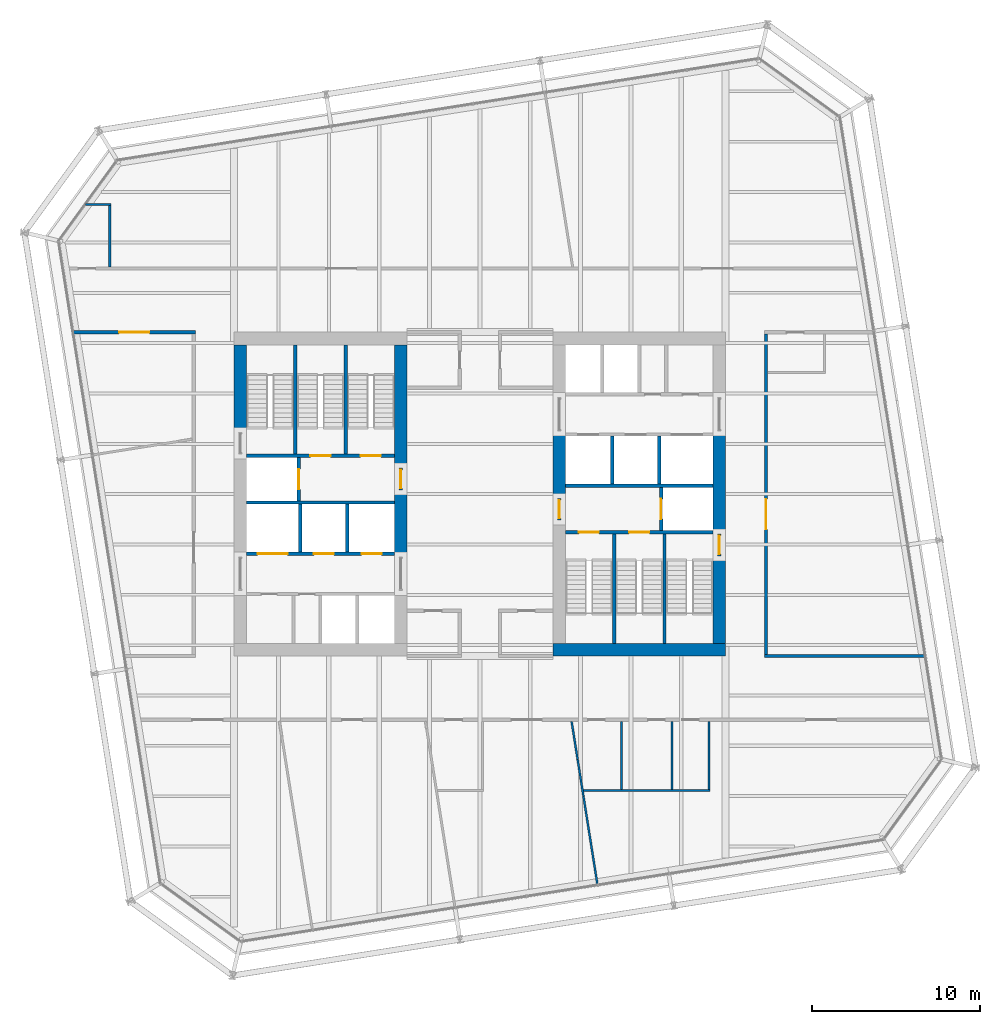
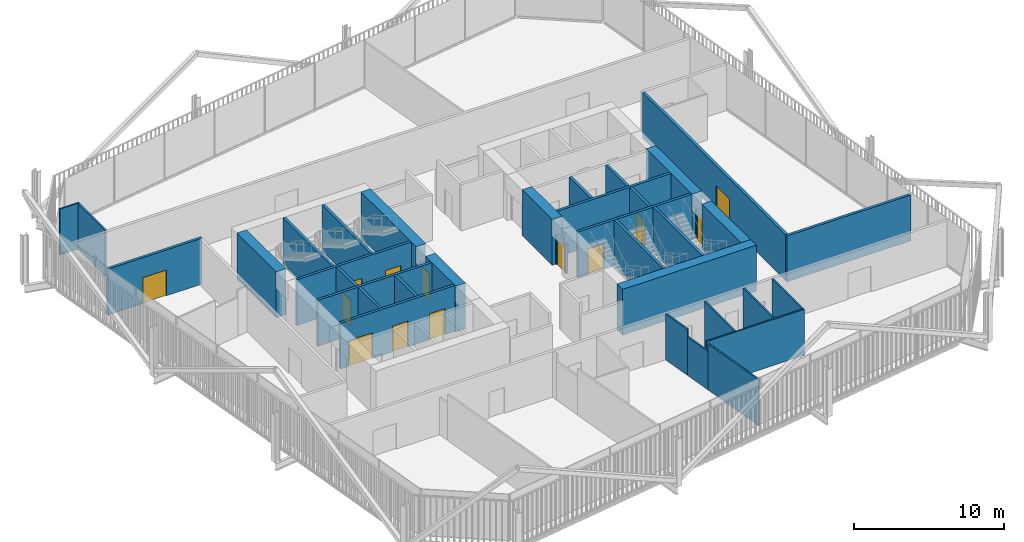
# One storey, part 19 of 22: 37 walls, 14 doors, 14 openings.
"""IFC4 building model written with IfcOpenShell, lengths in metres."""

from ifc_helpers import new_model, si_unit, direction, frame, frame_2d, origin, place, context, subcontext, project, spatial, rectangle, extrude, material, layer, layer_set, type_object, element, fill, save


model = new_model("IFC4")

# Units and contexts
model_context = context("Model", 3, precision=1e-05, world=origin(), true_north=direction((0.0, 1.0)))
body_context = subcontext(model_context, "Body", "Model", "MODEL_VIEW")
ifc_project = project(units=[si_unit("LENGTHUNIT", "METRE"), si_unit("AREAUNIT", "SQUARE_METRE"), si_unit("VOLUMEUNIT", "CUBIC_METRE"), si_unit("PLANEANGLEUNIT", "RADIAN"), si_unit("MASSUNIT", "GRAM", prefix="KILO")], contexts=[model_context])

# Site, building, storey
site_placement = place(None, origin())
site = spatial("IfcSite", under=ifc_project, at=site_placement, CompositionType="ELEMENT")
building_placement = place(site_placement, origin())
building = spatial("IfcBuilding", under=site, at=building_placement, Name="Millrace Tower", CompositionType="ELEMENT")
storey_placement = place(building_placement, frame((0.0, 0.0, 145.10009765625)))
storey = spatial("IfcBuildingStorey", under=building, at=storey_placement, Name="L32", CompositionType="ELEMENT", Elevation=145.10009765625)

# Walls
ifc_material_1 = material(Name="Concrete C70", Category="concrete")
ifc_layer_1 = layer(ifc_material_1, 0.75)
ifc_layer_set_1 = layer_set([ifc_layer_1], Name="Concrete C70")
wall_type_1 = type_object("IfcWallType", Name="Core wall 750 Concrete C70", PredefinedType="SHEAR", material=ifc_layer_set_1)
wall_1_placement = place(storey_placement, frame((-14.27490234375, 3.679931640625, 0.0), z_axis=(0.0, 0.0, 1.0), x_axis=(0.0, 1.0, 0.0)))
element("IfcWall", 1, at=wall_1_placement, inside=storey, type_object=wall_type_1, Name="Core wall W L32", PredefinedType="SHEAR", context=body_context, shape_type="SweptSolid", body=[
    extrude(rectangle(XDim=5.219970703125, YDim=0.75, at=frame_2d((2.60986328125, 0.0))), origin(), (0.0, 0.0, 1.0), 3.739990234375),
])
wall_2_placement = place(storey_placement, frame((-4.72509765625, -3.75, 0.0), z_axis=(0.0, 0.0, 1.0), x_axis=(0.0, 1.0, 0.0)))
element("IfcWall", 2, at=wall_2_placement, inside=storey, type_object=wall_type_1, Name="Core wall W L32", PredefinedType="SHEAR", context=body_context, shape_type="SweptSolid", body=[
    extrude(rectangle(XDim=4.0, YDim=0.75, at=frame_2d((2.0, 0.0))), origin(), (0.0, 0.0, 1.0), 3.739990234375),
])
wall_3_placement = place(storey_placement, frame((-4.72509765625, 1.550048828125, 0.0), z_axis=(0.0, 0.0, 1.0), x_axis=(0.0, 1.0, 0.0)))
element("IfcWall", 3, at=wall_3_placement, inside=storey, type_object=wall_type_1, Name="Core wall W L32", PredefinedType="SHEAR", context=body_context, shape_type="SweptSolid", body=[
    extrude(rectangle(XDim=7.349853515625, YDim=0.75, at=frame_2d((3.6748046875, 0.0))), origin(), (0.0, 0.0, 1.0), 3.739990234375),
])
wall_4_placement = place(storey_placement, frame((14.64990234375, -9.27490234375, 0.0), z_axis=(0.0, 0.0, 1.0), x_axis=(-1.0, 0.0, 0.0)))
element("IfcWall", 4, at=wall_4_placement, inside=storey, type_object=wall_type_1, Name="Core wall E L32", PredefinedType="SHEAR", context=body_context, shape_type="SweptSolid", body=[
    extrude(rectangle(XDim=10.2998046875, YDim=0.75, at=frame_2d((5.14990234375, 0.0))), origin(), (0.0, 0.0, 1.0), 3.739990234375),
])
wall_5_placement = place(storey_placement, frame((14.27490234375, 3.75, 0.0), z_axis=(0.0, 0.0, 1.0), x_axis=(0.0, -1.0, 0.0)))
element("IfcWall", 5, at=wall_5_placement, inside=storey, type_object=wall_type_1, Name="Core wall E L32", PredefinedType="SHEAR", context=body_context, shape_type="SweptSolid", body=[
    extrude(rectangle(XDim=6.1298828125, YDim=0.75, at=frame_2d((3.06494140625, 0.0))), origin(), (0.0, 0.0, 1.0), 3.739990234375),
])
wall_6_placement = place(storey_placement, frame((14.27490234375, -3.679931640625, 0.0), z_axis=(0.0, 0.0, 1.0), x_axis=(0.0, -1.0, 0.0)))
element("IfcWall", 6, at=wall_6_placement, inside=storey, type_object=wall_type_1, Name="Core wall E L32", PredefinedType="SHEAR", context=body_context, shape_type="SweptSolid", body=[
    extrude(rectangle(XDim=5.219970703125, YDim=0.75, at=frame_2d((2.60986328125, 0.0))), origin(), (0.0, 0.0, 1.0), 3.739990234375),
])
wall_7_placement = place(storey_placement, frame((4.72509765625, 3.75, 0.0), z_axis=(0.0, 0.0, 1.0), x_axis=(0.0, -1.0, 0.0)))
element("IfcWall", 7, at=wall_7_placement, inside=storey, type_object=wall_type_1, Name="Core wall E L32", PredefinedType="SHEAR", context=body_context, shape_type="SweptSolid", body=[
    extrude(rectangle(XDim=4.0, YDim=0.75, at=frame_2d((2.0, 0.0))), origin(), (0.0, 0.0, 1.0), 3.739990234375),
])
ifc_material_2 = material(Name="Masonry partition, fire-rated", Category="masonry")
ifc_layer_2 = layer(ifc_material_2, 0.199951171875)
ifc_layer_set_2 = layer_set([ifc_layer_2], Name="Masonry partition, fire-rated")
wall_type_2 = type_object("IfcWallType", Name="Corridor wall 200", PredefinedType="PARTITIONING", material=ifc_layer_set_2)
wall_8_placement = place(storey_placement, frame((16.949951171875, -9.64990234375, 0.0), z_axis=(0.0, 0.0, 1.0), x_axis=(1.0, 0.0, 0.0)))
element("IfcWall", 8, at=wall_8_placement, inside=storey, type_object=wall_type_2, Name="Corridor wall L32", PredefinedType="PARTITIONING", context=body_context, shape_type="SweptSolid", body=[
    extrude(rectangle(XDim=9.54638671875, YDim=0.199951171875, at=frame_2d((4.773193359375, 0.0))), origin(), (0.0, 0.0, 1.0), 3.739990234375),
])

# Wall, opening, door
wall_9_placement = place(storey_placement, frame((-24.20703125, 9.64990234375, 0.0), z_axis=(0.0, 0.0, 1.0), x_axis=(1.0, 0.0, 0.0)))
wall_9 = element("IfcWall", 9, at=wall_9_placement, inside=storey, type_object=wall_type_2, Name="Corridor wall L32", PredefinedType="PARTITIONING", context=body_context, shape_type="SweptSolid", body=[
    extrude(rectangle(XDim=7.257080078125, YDim=0.199951171875, at=frame_2d((3.62841796875, 0.0))), origin(), (0.0, 0.0, 1.0), 3.739990234375),
])
opening_1_placement = place(wall_9_placement, frame((2.70361328125, 0.0, 0.0)))
opening_1 = element("IfcOpeningElement", 10, at=opening_1_placement, cuts=wall_9, Name="Opening 32-P019", PredefinedType="OPENING", context=body_context, shape_type="SweptSolid", body=[
    extrude(rectangle(XDim=1.800048828125, YDim=2.10009765625, at=frame_2d((0.89990234375, 1.050048828125))), frame((0.0, 0.10986328125, 0.0), z_axis=(0.0, -1.0, 0.0), x_axis=(1.0, 0.0, 0.0)), (0.0, 0.0, 1.0), 0.219970703125),
])
ifc_material_3 = material(Name="Steel door set, fire-rated", Category="steel")
door_type_1 = type_object("IfcDoorType", Name="Corridor door 1800 x 2100", OperationType="DOUBLE_DOOR_SINGLE_SWING", PredefinedType="DOOR", material=ifc_material_3)
door_1_placement = place(opening_1_placement, frame((1.800048828125, 0.0, 0.0), z_axis=(0.0, 0.0, 1.0), x_axis=(-1.0, 0.0, 0.0)))
door_1 = element("IfcDoor", 11, at=door_1_placement, inside=storey, type_object=door_type_1, Name="Door 32-P019", OperationType="DOUBLE_DOOR_SINGLE_SWING", OverallHeight=2.10009765625, OverallWidth=1.800048828125, PredefinedType="DOOR", context=body_context, shape_type="SweptSolid", body=[
    extrude(rectangle(XDim=1.800048828125, YDim=2.10009765625, at=frame_2d((0.89990234375, 1.050048828125))), frame((0.0, 0.02490234375, 0.0), z_axis=(0.0, -1.0, 0.0), x_axis=(1.0, 0.0, 0.0)), (0.0, 0.0, 1.0), 0.050048828125),
])
fill(opening_1, door_1)

wall_10_placement = place(storey_placement, frame((17.050048828125, -9.550048828125, 0.0), z_axis=(0.0, 0.0, 1.0), x_axis=(0.0, 1.0, 0.0)))
wall_10 = element("IfcWall", 12, at=wall_10_placement, inside=storey, type_object=wall_type_2, Name="Corridor wall L32", PredefinedType="PARTITIONING", context=body_context, shape_type="SweptSolid", body=[
    extrude(rectangle(XDim=19.10009765625, YDim=0.199951171875, at=frame_2d((9.550048828125, 0.0))), origin(), (0.0, 0.0, 1.0), 3.739990234375),
])
opening_2_placement = place(wall_10_placement, frame((7.449951171875, 0.0, 0.0)))
opening_2 = element("IfcOpeningElement", 13, at=opening_2_placement, cuts=wall_10, Name="Opening 32-P008", PredefinedType="OPENING", context=body_context, shape_type="SweptSolid", body=[
    extrude(rectangle(XDim=1.800048828125, YDim=2.10009765625, at=frame_2d((0.89990234375, 1.050048828125))), frame((0.0, 0.10986328125, 0.0), z_axis=(0.0, -1.0, 0.0), x_axis=(1.0, 0.0, 0.0)), (0.0, 0.0, 1.0), 0.219970703125),
])
door_2_placement = place(opening_2_placement, frame((1.800048828125, 0.0, 0.0), z_axis=(0.0, 0.0, 1.0), x_axis=(-1.0, 0.0, 0.0)))
door_2 = element("IfcDoor", 14, at=door_2_placement, inside=storey, type_object=door_type_1, Name="Door 32-P008", OperationType="DOUBLE_DOOR_SINGLE_SWING", OverallHeight=2.10009765625, OverallWidth=1.800048828125, PredefinedType="DOOR", context=body_context, shape_type="SweptSolid", body=[
    extrude(rectangle(XDim=1.800048828125, YDim=2.10009765625, at=frame_2d((0.89990234375, 1.050048828125))), frame((0.0, 0.02490234375, 0.0), z_axis=(0.0, -1.0, 0.0), x_axis=(1.0, 0.0, 0.0)), (0.0, 0.0, 1.0), 0.050048828125),
])
fill(opening_2, door_2)

# Wall, openings, doors
ifc_material_4 = material(Name="Masonry partition, fire-rated", Category="masonry")
ifc_layer_3 = layer(ifc_material_4, 0.199951171875)
ifc_layer_set_3 = layer_set([ifc_layer_3], Name="Masonry partition, fire-rated")
wall_type_3 = type_object("IfcWallType", Name="Lift shaft wall 200", PredefinedType="PARTITIONING", material=ifc_layer_set_3)
wall_11_placement = place(storey_placement, frame((-13.89990234375, -3.550048828125, 0.0), z_axis=(0.0, 0.0, 1.0), x_axis=(1.0, 0.0, 0.0)))
wall_11 = element("IfcWall", 15, at=wall_11_placement, inside=storey, type_object=wall_type_3, Name="Lift shaft wall W L32", PredefinedType="PARTITIONING", context=body_context, shape_type="SweptSolid", body=[
    extrude(rectangle(XDim=8.7998046875, YDim=0.199951171875, at=frame_2d((4.39990234375, 0.0))), origin(), (0.0, 0.0, 1.0), 3.739990234375),
])
opening_3_placement = place(wall_11_placement, frame((0.64990234375, 0.0, 0.0)))
opening_3 = element("IfcOpeningElement", 16, at=opening_3_placement, cuts=wall_11, Name="Opening 32-LD05", PredefinedType="OPENING", context=body_context, shape_type="SweptSolid", body=[
    extrude(rectangle(XDim=1.800048828125, YDim=2.10009765625, at=frame_2d((0.89990234375, 1.050048828125))), frame((0.0, 0.10986328125, 0.0), z_axis=(0.0, -1.0, 0.0), x_axis=(1.0, 0.0, 0.0)), (0.0, 0.0, 1.0), 0.219970703125),
])
opening_4_placement = place(wall_11_placement, frame((4.0, 0.0, 0.0)))
opening_4 = element("IfcOpeningElement", 17, at=opening_4_placement, cuts=wall_11, Name="Opening 32-LD06", PredefinedType="OPENING", context=body_context, shape_type="SweptSolid", body=[
    extrude(rectangle(XDim=1.199951171875, YDim=2.10009765625, at=frame_2d((0.60009765625, 1.050048828125))), frame((0.0, 0.10986328125, 0.0), z_axis=(0.0, -1.0, 0.0), x_axis=(1.0, 0.0, 0.0)), (0.0, 0.0, 1.0), 0.219970703125),
])
opening_5_placement = place(wall_11_placement, frame((6.85009765625, 0.0, 0.0)))
opening_5 = element("IfcOpeningElement", 18, at=opening_5_placement, cuts=wall_11, Name="Opening 32-LD07", PredefinedType="OPENING", context=body_context, shape_type="SweptSolid", body=[
    extrude(rectangle(XDim=1.199951171875, YDim=2.10009765625, at=frame_2d((0.60009765625, 1.050048828125))), frame((0.0, 0.10986328125, 0.0), z_axis=(0.0, -1.0, 0.0), x_axis=(1.0, 0.0, 0.0)), (0.0, 0.0, 1.0), 0.219970703125),
])
ifc_material_5 = material(Name="Stainless steel, fire-rated", Category="steel")
door_type_2 = type_object("IfcDoorType", Name="Lift landing door 1200 x 2100", OperationType="DOUBLE_DOOR_SLIDING", PredefinedType="DOOR", material=ifc_material_5)
door_3_placement = place(opening_4_placement, origin())
door_3 = element("IfcDoor", 19, at=door_3_placement, inside=storey, type_object=door_type_2, Name="Lift landing door LF6 L32", OperationType="DOUBLE_DOOR_SLIDING", OverallHeight=2.10009765625, OverallWidth=1.199951171875, PredefinedType="DOOR", context=body_context, shape_type="SweptSolid", body=[
    extrude(rectangle(XDim=1.199951171875, YDim=2.10009765625, at=frame_2d((0.60009765625, 1.050048828125))), frame((0.0, 0.02490234375, 0.0), z_axis=(0.0, -1.0, 0.0), x_axis=(1.0, 0.0, 0.0)), (0.0, 0.0, 1.0), 0.050048828125),
])
fill(opening_4, door_3)
door_4_placement = place(opening_5_placement, origin())
door_4 = element("IfcDoor", 20, at=door_4_placement, inside=storey, type_object=door_type_2, Name="Lift landing door LF7 L32", OperationType="DOUBLE_DOOR_SLIDING", OverallHeight=2.10009765625, OverallWidth=1.199951171875, PredefinedType="DOOR", context=body_context, shape_type="SweptSolid", body=[
    extrude(rectangle(XDim=1.199951171875, YDim=2.10009765625, at=frame_2d((0.60009765625, 1.050048828125))), frame((0.0, 0.02490234375, 0.0), z_axis=(0.0, -1.0, 0.0), x_axis=(1.0, 0.0, 0.0)), (0.0, 0.0, 1.0), 0.050048828125),
])
fill(opening_5, door_4)
ifc_material_6 = material(Name="Stainless steel, fire-rated", Category="steel")
door_type_3 = type_object("IfcDoorType", Name="Lift landing door 1800 x 2100", OperationType="DOUBLE_DOOR_SLIDING", PredefinedType="DOOR", material=ifc_material_6)
door_5_placement = place(opening_3_placement, origin())
door_5 = element("IfcDoor", 21, at=door_5_placement, inside=storey, type_object=door_type_3, Name="Lift landing door LF5 L32", OperationType="DOUBLE_DOOR_SLIDING", OverallHeight=2.10009765625, OverallWidth=1.800048828125, PredefinedType="DOOR", context=body_context, shape_type="SweptSolid", body=[
    extrude(rectangle(XDim=1.800048828125, YDim=2.10009765625, at=frame_2d((0.89990234375, 1.050048828125))), frame((0.0, 0.02490234375, 0.0), z_axis=(0.0, -1.0, 0.0), x_axis=(1.0, 0.0, 0.0)), (0.0, 0.0, 1.0), 0.050048828125),
])
fill(opening_3, door_5)

# Wall
wall_12_placement = place(storey_placement, frame((-13.89990234375, -0.5, 0.0), z_axis=(0.0, 0.0, 1.0), x_axis=(1.0, 0.0, 0.0)))
element("IfcWall", 22, at=wall_12_placement, inside=storey, type_object=wall_type_3, Name="Lift shaft wall W L32", PredefinedType="PARTITIONING", context=body_context, shape_type="SweptSolid", body=[
    extrude(rectangle(XDim=8.7998046875, YDim=0.199951171875, at=frame_2d((4.39990234375, 0.0))), origin(), (0.0, 0.0, 1.0), 3.739990234375),
])

# Wall, opening, door
wall_13_placement = place(storey_placement, frame((-10.800048828125, -0.39990234375, 0.0), z_axis=(0.0, 0.0, 1.0), x_axis=(0.0, 1.0, 0.0)))
wall_13 = element("IfcWall", 23, at=wall_13_placement, inside=storey, type_object=wall_type_3, Name="Lift shaft wall W L32", PredefinedType="PARTITIONING", context=body_context, shape_type="SweptSolid", body=[
    extrude(rectangle(XDim=2.579833984375, YDim=0.199951171875, at=frame_2d((1.2900390625, 0.0))), origin(), (0.0, 0.0, 1.0), 3.739990234375),
])
opening_6_placement = place(wall_13_placement, frame((0.68994140625, 0.0, 0.0)))
opening_6 = element("IfcOpeningElement", 24, at=opening_6_placement, cuts=wall_13, Name="Opening 32-LD08", PredefinedType="OPENING", context=body_context, shape_type="SweptSolid", body=[
    extrude(rectangle(XDim=1.199951171875, YDim=2.10009765625, at=frame_2d((0.60009765625, 1.050048828125))), frame((0.0, 0.10986328125, 0.0), z_axis=(0.0, -1.0, 0.0), x_axis=(1.0, 0.0, 0.0)), (0.0, 0.0, 1.0), 0.219970703125),
])
door_6_placement = place(opening_6_placement, origin())
door_6 = element("IfcDoor", 25, at=door_6_placement, inside=storey, type_object=door_type_2, Name="Lift landing door LF8 L32", OperationType="DOUBLE_DOOR_SLIDING", OverallHeight=2.10009765625, OverallWidth=1.199951171875, PredefinedType="DOOR", context=body_context, shape_type="SweptSolid", body=[
    extrude(rectangle(XDim=1.199951171875, YDim=2.10009765625, at=frame_2d((0.60009765625, 1.050048828125))), frame((0.0, 0.02490234375, 0.0), z_axis=(0.0, -1.0, 0.0), x_axis=(1.0, 0.0, 0.0)), (0.0, 0.0, 1.0), 0.050048828125),
])
fill(opening_6, door_6)

# Walls
for number, where, z_axis, x_axis, name in (
    (26, (-10.699951171875, -3.449951171875, 0.0), (0.0, 0.0, 1.0), (0.0, 1.0, 0.0), "Lift shaft wall W L32"),
    (27, (-7.89990234375, -3.449951171875, 0.0), (0.0, 0.0, 1.0), (0.0, 1.0, 0.0), "Lift shaft wall W L32"),
):
    element("IfcWall", number, at=place(storey_placement, frame(where, z_axis=z_axis, x_axis=x_axis)), inside=storey, type_object=wall_type_3, Name=name, PredefinedType="PARTITIONING", context=body_context, shape_type="SweptSolid", body=[
        extrude(rectangle(XDim=2.849853515625, YDim=0.199951171875, at=frame_2d((1.4248046875, 0.0))), origin(), (0.0, 0.0, 1.0), 3.739990234375),
    ])
wall_14_placement = place(storey_placement, frame((13.89990234375, 0.5, 0.0), z_axis=(0.0, 0.0, 1.0), x_axis=(-1.0, 0.0, 0.0)))
element("IfcWall", 28, at=wall_14_placement, inside=storey, type_object=wall_type_3, Name="Lift shaft wall E L32", PredefinedType="PARTITIONING", context=body_context, shape_type="SweptSolid", body=[
    extrude(rectangle(XDim=8.7998046875, YDim=0.199951171875, at=frame_2d((4.39990234375, 0.0))), origin(), (0.0, 0.0, 1.0), 3.739990234375),
])

# Wall, opening, door
wall_15_placement = place(storey_placement, frame((10.800048828125, 0.39990234375, 0.0), z_axis=(0.0, 0.0, 1.0), x_axis=(0.0, -1.0, 0.0)))
wall_15 = element("IfcWall", 29, at=wall_15_placement, inside=storey, type_object=wall_type_3, Name="Lift shaft wall E L32", PredefinedType="PARTITIONING", context=body_context, shape_type="SweptSolid", body=[
    extrude(rectangle(XDim=2.579833984375, YDim=0.199951171875, at=frame_2d((1.2900390625, 0.0))), origin(), (0.0, 0.0, 1.0), 3.739990234375),
])
opening_7_placement = place(wall_15_placement, frame((0.68994140625, 0.0, 0.0)))
opening_7 = element("IfcOpeningElement", 30, at=opening_7_placement, cuts=wall_15, Name="Opening 32-LD16", PredefinedType="OPENING", context=body_context, shape_type="SweptSolid", body=[
    extrude(rectangle(XDim=1.199951171875, YDim=2.10009765625, at=frame_2d((0.60009765625, 1.050048828125))), frame((0.0, 0.10986328125, 0.0), z_axis=(0.0, -1.0, 0.0), x_axis=(1.0, 0.0, 0.0)), (0.0, 0.0, 1.0), 0.219970703125),
])
door_7_placement = place(opening_7_placement, origin())
door_7 = element("IfcDoor", 31, at=door_7_placement, inside=storey, type_object=door_type_2, Name="Lift landing door LF16 L32", OperationType="DOUBLE_DOOR_SLIDING", OverallHeight=2.10009765625, OverallWidth=1.199951171875, PredefinedType="DOOR", context=body_context, shape_type="SweptSolid", body=[
    extrude(rectangle(XDim=1.199951171875, YDim=2.10009765625, at=frame_2d((0.60009765625, 1.050048828125))), frame((0.0, 0.02490234375, 0.0), z_axis=(0.0, -1.0, 0.0), x_axis=(1.0, 0.0, 0.0)), (0.0, 0.0, 1.0), 0.050048828125),
])
fill(opening_7, door_7)

# Walls
for number, where, z_axis, x_axis, name in (
    (32, (10.699951171875, 3.449951171875, 0.0), (0.0, 0.0, 1.0), (0.0, -1.0, 0.0), "Lift shaft wall E L32"),
    (33, (7.89990234375, 3.449951171875, 0.0), (0.0, 0.0, 1.0), (0.0, -1.0, 0.0), "Lift shaft wall E L32"),
):
    element("IfcWall", number, at=place(storey_placement, frame(where, z_axis=z_axis, x_axis=x_axis)), inside=storey, type_object=wall_type_3, Name=name, PredefinedType="PARTITIONING", context=body_context, shape_type="SweptSolid", body=[
        extrude(rectangle(XDim=2.849853515625, YDim=0.199951171875, at=frame_2d((1.4248046875, 0.0))), origin(), (0.0, 0.0, 1.0), 3.739990234375),
    ])

# Wall, opening, door
ifc_material_7 = material(Name="Masonry partition, fire-rated", Category="masonry")
ifc_layer_4 = layer(ifc_material_7, 0.199951171875)
ifc_layer_set_4 = layer_set([ifc_layer_4], Name="Masonry partition, fire-rated")
wall_type_4 = type_object("IfcWallType", Name="Lobby wall 200", PredefinedType="PARTITIONING", material=ifc_layer_set_4)
wall_16_placement = place(storey_placement, frame((-4.72509765625, 0.25, 0.0), z_axis=(0.0, 0.0, 1.0), x_axis=(0.0, 1.0, 0.0)))
wall_16 = element("IfcWall", 34, at=wall_16_placement, inside=storey, type_object=wall_type_4, Name="Lobby wall W L32", PredefinedType="PARTITIONING", context=body_context, shape_type="SweptSolid", body=[
    extrude(rectangle(XDim=1.300048828125, YDim=0.199951171875, at=frame_2d((0.64990234375, 0.0))), origin(), (0.0, 0.0, 1.0), 2.39990234375),
])
opening_8_placement = place(wall_16_placement, frame((0.10009765625, 0.0, 0.0)))
opening_8 = element("IfcOpeningElement", 35, at=opening_8_placement, cuts=wall_16, Name="Opening 32-C004", PredefinedType="OPENING", context=body_context, shape_type="SweptSolid", body=[
    extrude(rectangle(XDim=1.10009765625, YDim=2.10009765625, at=frame_2d((0.550048828125, 1.050048828125))), frame((0.0, 0.10986328125, 0.0), z_axis=(0.0, -1.0, 0.0), x_axis=(1.0, 0.0, 0.0)), (0.0, 0.0, 1.0), 0.219970703125),
])
ifc_material_8 = material(Name="Steel door, fire-rated", Category="steel")
door_type_4 = type_object("IfcDoorType", Name="Lobby door 1100 x 2100", OperationType="SINGLE_SWING_LEFT", PredefinedType="DOOR", material=ifc_material_8)
door_8_placement = place(opening_8_placement, origin())
door_8 = element("IfcDoor", 36, at=door_8_placement, inside=storey, type_object=door_type_4, Name="Lobby door 32-C004", OperationType="SINGLE_SWING_LEFT", OverallHeight=2.10009765625, OverallWidth=1.10009765625, PredefinedType="DOOR", context=body_context, shape_type="SweptSolid", body=[
    extrude(rectangle(XDim=1.10009765625, YDim=2.10009765625, at=frame_2d((0.550048828125, 1.050048828125))), frame((0.0, 0.02490234375, 0.0), z_axis=(0.0, -1.0, 0.0), x_axis=(1.0, 0.0, 0.0)), (0.0, 0.0, 1.0), 0.050048828125),
])
fill(opening_8, door_8)

wall_17_placement = place(storey_placement, frame((4.72509765625, -0.25, 0.0), z_axis=(0.0, 0.0, 1.0), x_axis=(0.0, -1.0, 0.0)))
wall_17 = element("IfcWall", 37, at=wall_17_placement, inside=storey, type_object=wall_type_4, Name="Lobby wall E L32", PredefinedType="PARTITIONING", context=body_context, shape_type="SweptSolid", body=[
    extrude(rectangle(XDim=1.300048828125, YDim=0.199951171875, at=frame_2d((0.64990234375, 0.0))), origin(), (0.0, 0.0, 1.0), 2.39990234375),
])
opening_9_placement = place(wall_17_placement, frame((0.10009765625, 0.0, 0.0)))
opening_9 = element("IfcOpeningElement", 38, at=opening_9_placement, cuts=wall_17, Name="Opening 32-C012", PredefinedType="OPENING", context=body_context, shape_type="SweptSolid", body=[
    extrude(rectangle(XDim=1.10009765625, YDim=2.10009765625, at=frame_2d((0.550048828125, 1.050048828125))), frame((0.0, 0.10986328125, 0.0), z_axis=(0.0, -1.0, 0.0), x_axis=(1.0, 0.0, 0.0)), (0.0, 0.0, 1.0), 0.219970703125),
])
door_9_placement = place(opening_9_placement, origin())
door_9 = element("IfcDoor", 39, at=door_9_placement, inside=storey, type_object=door_type_4, Name="Lobby door 32-C012", OperationType="SINGLE_SWING_RIGHT", OverallHeight=2.10009765625, OverallWidth=1.10009765625, PredefinedType="DOOR", context=body_context, shape_type="SweptSolid", body=[
    extrude(rectangle(XDim=1.10009765625, YDim=2.10009765625, at=frame_2d((0.550048828125, 1.050048828125))), frame((0.0, 0.02490234375, 0.0), z_axis=(0.0, -1.0, 0.0), x_axis=(1.0, 0.0, 0.0)), (0.0, 0.0, 1.0), 0.050048828125),
])
fill(opening_9, door_9)

# Walls
ifc_material_9 = material(Name="Gypsum board partition")
ifc_layer_5 = layer(ifc_material_9, 0.1201171875)
ifc_layer_set_5 = layer_set([ifc_layer_5], Name="Gypsum board partition")
wall_type_5 = type_object("IfcWallType", Name="Partition wall 120", PredefinedType="PARTITIONING", material=ifc_layer_set_5)
wall_18_placement = place(storey_placement, frame((5.46728515625, -13.548828125, 0.0), z_axis=(0.0, 0.0, 1.0), x_axis=(0.15651401508, -0.987675737823, 0.0)))
element("IfcWall", 40, at=wall_18_placement, inside=storey, type_object=wall_type_5, Name="Partition wall L32", PredefinedType="PARTITIONING", context=body_context, shape_type="SweptSolid", body=[
    extrude(rectangle(XDim=2.296142578125, YDim=0.1201171875, at=frame_2d((1.14794921875, 0.0))), origin(), (0.0, 0.0, 1.0), 3.739990234375),
])
wall_19_placement = place(storey_placement, frame((5.82666015625, -15.816650390625, 0.0), z_axis=(0.0, 0.0, 1.0), x_axis=(0.156375374173, -0.987697697857, 0.0)))
element("IfcWall", 41, at=wall_19_placement, inside=storey, type_object=wall_type_5, Name="Partition wall L32", PredefinedType="PARTITIONING", context=body_context, shape_type="SweptSolid", body=[
    extrude(rectangle(XDim=2.217041015625, YDim=0.1201171875, at=frame_2d((1.1083984375, 0.0))), origin(), (0.0, 0.0, 1.0), 3.1328125),
])
wall_20_placement = place(storey_placement, frame((6.17333984375, -18.00634765625, 0.0), z_axis=(0.0, 0.0, 1.0), x_axis=(0.156465164323, -0.987683477817, 0.0)))
element("IfcWall", 42, at=wall_20_placement, inside=storey, type_object=wall_type_5, Name="Partition wall L32", PredefinedType="PARTITIONING", context=body_context, shape_type="SweptSolid", body=[
    extrude(rectangle(XDim=5.31298828125, YDim=0.1201171875, at=frame_2d((2.656494140625, 0.0))), origin(), (0.0, 0.0, 1.0), 3.739990234375),
])
wall_21_placement = place(storey_placement, frame((6.17724609375, -17.64990234375, 0.0), z_axis=(0.0, 0.0, 1.0), x_axis=(1.0, 0.0, 0.0)))
element("IfcWall", 43, at=wall_21_placement, inside=storey, type_object=wall_type_5, Name="Partition wall L32", PredefinedType="PARTITIONING", context=body_context, shape_type="SweptSolid", body=[
    extrude(rectangle(XDim=7.53466796875, YDim=0.1201171875, at=frame_2d((3.767333984375, 0.0))), origin(), (0.0, 0.0, 1.0), 3.739990234375),
])
wall_22_placement = place(storey_placement, frame((-23.502197265625, 17.25, 0.0), z_axis=(0.0, 0.0, 1.0), x_axis=(1.0, 0.0, 0.0)))
element("IfcWall", 44, at=wall_22_placement, inside=storey, type_object=wall_type_5, Name="Partition wall L32", PredefinedType="PARTITIONING", context=body_context, shape_type="SweptSolid", body=[
    extrude(rectangle(XDim=1.504150390625, YDim=0.1201171875, at=frame_2d((0.751953125, 0.0))), origin(), (0.0, 0.0, 1.0), 3.739990234375),
])
for number, where, z_axis, x_axis, name in (
    (45, (13.652099609375, -17.590087890625, 0.0), (0.0, 0.0, 1.0), (0.0, 1.0, 0.0), "Partition wall L32"),
    (46, (11.451904296875, -17.590087890625, 0.0), (0.0, 0.0, 1.0), (0.0, 1.0, 0.0), "Partition wall L32"),
    (47, (8.451904296875, -17.590087890625, 0.0), (0.0, 0.0, 1.0), (0.0, 1.0, 0.0), "Partition wall L32"),
):
    element("IfcWall", number, at=place(storey_placement, frame(where, z_axis=z_axis, x_axis=x_axis)), inside=storey, type_object=wall_type_5, Name=name, PredefinedType="PARTITIONING", context=body_context, shape_type="SweptSolid", body=[
        extrude(rectangle(XDim=4.0400390625, YDim=0.1201171875, at=frame_2d((2.02001953125, 0.0))), origin(), (0.0, 0.0, 1.0), 3.739990234375),
    ])
wall_23_placement = place(storey_placement, frame((-22.05810546875, 13.550048828125, 0.0), z_axis=(0.0, 0.0, 1.0), x_axis=(0.0, 1.0, 0.0)))
element("IfcWall", 48, at=wall_23_placement, inside=storey, type_object=wall_type_5, Name="Partition wall L32", PredefinedType="PARTITIONING", context=body_context, shape_type="SweptSolid", body=[
    extrude(rectangle(XDim=3.639892578125, YDim=0.1201171875, at=frame_2d((1.81982421875, 0.0))), origin(), (0.0, 0.0, 1.0), 3.739990234375),
])

# Wall, openings, doors
ifc_material_10 = material(Name="Concrete C40", Category="concrete")
ifc_layer_6 = layer(ifc_material_10, 0.199951171875)
ifc_layer_set_6 = layer_set([ifc_layer_6], Name="Concrete C40")
wall_type_6 = type_object("IfcWallType", Name="Stair enclosure wall 200 Concrete C40", PredefinedType="SHEAR", material=ifc_layer_set_6)
wall_24_placement = place(storey_placement, frame((-13.89990234375, 2.280029296875, 0.0), z_axis=(0.0, 0.0, 1.0), x_axis=(1.0, 0.0, 0.0)))
wall_24 = element("IfcWall", 49, at=wall_24_placement, inside=storey, type_object=wall_type_6, Name="Stair enclosure wall W L32", PredefinedType="SHEAR", context=body_context, shape_type="SweptSolid", body=[
    extrude(rectangle(XDim=8.7998046875, YDim=0.199951171875, at=frame_2d((4.39990234375, 0.0))), origin(), (0.0, 0.0, 1.0), 3.739990234375),
])
opening_10_placement = place(wall_24_placement, frame((3.800048828125, 0.0, 0.0)))
opening_10 = element("IfcOpeningElement", 50, at=opening_10_placement, cuts=wall_24, Name="Opening 32-C007", PredefinedType="OPENING", context=body_context, shape_type="SweptSolid", body=[
    extrude(rectangle(XDim=1.199951171875, YDim=2.10009765625, at=frame_2d((0.60009765625, 1.050048828125))), frame((0.0, 0.10986328125, 0.0), z_axis=(0.0, -1.0, 0.0), x_axis=(1.0, 0.0, 0.0)), (0.0, 0.0, 1.0), 0.219970703125),
])
opening_11_placement = place(wall_24_placement, frame((6.800048828125, 0.0, 0.0)))
opening_11 = element("IfcOpeningElement", 51, at=opening_11_placement, cuts=wall_24, Name="Opening 32-C008", PredefinedType="OPENING", context=body_context, shape_type="SweptSolid", body=[
    extrude(rectangle(XDim=1.199951171875, YDim=2.10009765625, at=frame_2d((0.60009765625, 1.050048828125))), frame((0.0, 0.10986328125, 0.0), z_axis=(0.0, -1.0, 0.0), x_axis=(1.0, 0.0, 0.0)), (0.0, 0.0, 1.0), 0.219970703125),
])
ifc_material_11 = material(Name="Steel door, fire-rated", Category="steel")
door_type_5 = type_object("IfcDoorType", Name="Stair door 1200 x 2100", OperationType="SINGLE_SWING_LEFT", PredefinedType="DOOR", material=ifc_material_11)
door_10_placement = place(opening_10_placement, frame((1.199951171875, 0.0, 0.0), z_axis=(0.0, 0.0, 1.0), x_axis=(-1.0, 0.0, 0.0)))
door_10 = element("IfcDoor", 52, at=door_10_placement, inside=storey, type_object=door_type_5, Name="Stair door 32-C007", OperationType="SINGLE_SWING_RIGHT", OverallHeight=2.10009765625, OverallWidth=1.199951171875, PredefinedType="DOOR", context=body_context, shape_type="SweptSolid", body=[
    extrude(rectangle(XDim=1.199951171875, YDim=2.10009765625, at=frame_2d((0.60009765625, 1.050048828125))), frame((0.0, 0.02490234375, 0.0), z_axis=(0.0, -1.0, 0.0), x_axis=(1.0, 0.0, 0.0)), (0.0, 0.0, 1.0), 0.050048828125),
])
fill(opening_10, door_10)
door_11_placement = place(opening_11_placement, frame((1.199951171875, 0.0, 0.0), z_axis=(0.0, 0.0, 1.0), x_axis=(-1.0, 0.0, 0.0)))
door_11 = element("IfcDoor", 53, at=door_11_placement, inside=storey, type_object=door_type_5, Name="Stair door 32-C008", OperationType="SINGLE_SWING_LEFT", OverallHeight=2.10009765625, OverallWidth=1.199951171875, PredefinedType="DOOR", context=body_context, shape_type="SweptSolid", body=[
    extrude(rectangle(XDim=1.199951171875, YDim=2.10009765625, at=frame_2d((0.60009765625, 1.050048828125))), frame((0.0, 0.02490234375, 0.0), z_axis=(0.0, -1.0, 0.0), x_axis=(1.0, 0.0, 0.0)), (0.0, 0.0, 1.0), 0.050048828125),
])
fill(opening_11, door_11)

# Walls
for number, where, z_axis, x_axis, name in (
    (54, (-11.0, 2.3798828125, 0.0), (0.0, 0.0, 1.0), (0.0, 1.0, 0.0), "Stair enclosure wall W L32"),
    (55, (-8.0, 2.3798828125, 0.0), (0.0, 0.0, 1.0), (0.0, 1.0, 0.0), "Stair enclosure wall W L32"),
):
    element("IfcWall", number, at=place(storey_placement, frame(where, z_axis=z_axis, x_axis=x_axis)), inside=storey, type_object=wall_type_6, Name=name, PredefinedType="SHEAR", context=body_context, shape_type="SweptSolid", body=[
        extrude(rectangle(XDim=6.52001953125, YDim=0.199951171875, at=frame_2d((3.260009765625, 0.0))), origin(), (0.0, 0.0, 1.0), 3.739990234375),
    ])

# Wall, opening, door
wall_25_placement = place(storey_placement, frame((14.27490234375, -2.3798828125, 0.0), z_axis=(0.0, 0.0, 1.0), x_axis=(0.0, -1.0, 0.0)))
wall_25 = element("IfcWall", 56, at=wall_25_placement, inside=storey, type_object=wall_type_6, Name="Stair enclosure wall E L32", PredefinedType="SHEAR", context=body_context, shape_type="SweptSolid", body=[
    extrude(rectangle(XDim=1.300048828125, YDim=0.199951171875, at=frame_2d((0.64990234375, 0.0))), origin(), (0.0, 0.0, 1.0), 2.39990234375),
])
opening_12_placement = place(wall_25_placement, frame((0.10009765625, 0.0, 0.0)))
opening_12 = element("IfcOpeningElement", 57, at=opening_12_placement, cuts=wall_25, Name="Opening 32-C010", PredefinedType="OPENING", context=body_context, shape_type="SweptSolid", body=[
    extrude(rectangle(XDim=1.10009765625, YDim=2.10009765625, at=frame_2d((0.550048828125, 1.050048828125))), frame((0.0, 0.10986328125, 0.0), z_axis=(0.0, -1.0, 0.0), x_axis=(1.0, 0.0, 0.0)), (0.0, 0.0, 1.0), 0.219970703125),
])
ifc_material_12 = material(Name="Steel door, fire-rated", Category="steel")
door_type_6 = type_object("IfcDoorType", Name="Stair door 1100 x 2100", OperationType="SINGLE_SWING_LEFT", PredefinedType="DOOR", material=ifc_material_12)
door_12_placement = place(opening_12_placement, origin())
door_12 = element("IfcDoor", 58, at=door_12_placement, inside=storey, type_object=door_type_6, Name="Stair door 32-C010", OperationType="SINGLE_SWING_LEFT", OverallHeight=2.10009765625, OverallWidth=1.10009765625, PredefinedType="DOOR", context=body_context, shape_type="SweptSolid", body=[
    extrude(rectangle(XDim=1.10009765625, YDim=2.10009765625, at=frame_2d((0.550048828125, 1.050048828125))), frame((0.0, 0.02490234375, 0.0), z_axis=(0.0, -1.0, 0.0), x_axis=(1.0, 0.0, 0.0)), (0.0, 0.0, 1.0), 0.050048828125),
])
fill(opening_12, door_12)

# Wall, openings, doors
wall_26_placement = place(storey_placement, frame((13.89990234375, -2.280029296875, 0.0), z_axis=(0.0, 0.0, 1.0), x_axis=(-1.0, 0.0, 0.0)))
wall_26 = element("IfcWall", 59, at=wall_26_placement, inside=storey, type_object=wall_type_6, Name="Stair enclosure wall E L32", PredefinedType="SHEAR", context=body_context, shape_type="SweptSolid", body=[
    extrude(rectangle(XDim=8.7998046875, YDim=0.199951171875, at=frame_2d((4.39990234375, 0.0))), origin(), (0.0, 0.0, 1.0), 3.739990234375),
])
opening_13_placement = place(wall_26_placement, frame((3.800048828125, 0.0, 0.0)))
opening_13 = element("IfcOpeningElement", 60, at=opening_13_placement, cuts=wall_26, Name="Opening 32-C015", PredefinedType="OPENING", context=body_context, shape_type="SweptSolid", body=[
    extrude(rectangle(XDim=1.199951171875, YDim=2.10009765625, at=frame_2d((0.60009765625, 1.050048828125))), frame((0.0, 0.10986328125, 0.0), z_axis=(0.0, -1.0, 0.0), x_axis=(1.0, 0.0, 0.0)), (0.0, 0.0, 1.0), 0.219970703125),
])
opening_14_placement = place(wall_26_placement, frame((6.800048828125, 0.0, 0.0)))
opening_14 = element("IfcOpeningElement", 61, at=opening_14_placement, cuts=wall_26, Name="Opening 32-C016", PredefinedType="OPENING", context=body_context, shape_type="SweptSolid", body=[
    extrude(rectangle(XDim=1.199951171875, YDim=2.10009765625, at=frame_2d((0.60009765625, 1.050048828125))), frame((0.0, 0.10986328125, 0.0), z_axis=(0.0, -1.0, 0.0), x_axis=(1.0, 0.0, 0.0)), (0.0, 0.0, 1.0), 0.219970703125),
])
door_13_placement = place(opening_13_placement, frame((1.199951171875, 0.0, 0.0), z_axis=(0.0, 0.0, 1.0), x_axis=(-1.0, 0.0, 0.0)))
door_13 = element("IfcDoor", 62, at=door_13_placement, inside=storey, type_object=door_type_5, Name="Stair door 32-C015", OperationType="SINGLE_SWING_RIGHT", OverallHeight=2.10009765625, OverallWidth=1.199951171875, PredefinedType="DOOR", context=body_context, shape_type="SweptSolid", body=[
    extrude(rectangle(XDim=1.199951171875, YDim=2.10009765625, at=frame_2d((0.60009765625, 1.050048828125))), frame((0.0, 0.02490234375, 0.0), z_axis=(0.0, -1.0, 0.0), x_axis=(1.0, 0.0, 0.0)), (0.0, 0.0, 1.0), 0.050048828125),
])
fill(opening_13, door_13)
door_14_placement = place(opening_14_placement, frame((1.199951171875, 0.0, 0.0), z_axis=(0.0, 0.0, 1.0), x_axis=(-1.0, 0.0, 0.0)))
door_14 = element("IfcDoor", 63, at=door_14_placement, inside=storey, type_object=door_type_5, Name="Stair door 32-C016", OperationType="SINGLE_SWING_LEFT", OverallHeight=2.10009765625, OverallWidth=1.199951171875, PredefinedType="DOOR", context=body_context, shape_type="SweptSolid", body=[
    extrude(rectangle(XDim=1.199951171875, YDim=2.10009765625, at=frame_2d((0.60009765625, 1.050048828125))), frame((0.0, 0.02490234375, 0.0), z_axis=(0.0, -1.0, 0.0), x_axis=(1.0, 0.0, 0.0)), (0.0, 0.0, 1.0), 0.050048828125),
])
fill(opening_14, door_14)

# Walls
for number, where, z_axis, x_axis, name in (
    (64, (11.0, -2.3798828125, 0.0), (0.0, 0.0, 1.0), (0.0, -1.0, 0.0), "Stair enclosure wall E L32"),
    (65, (8.0, -2.3798828125, 0.0), (0.0, 0.0, 1.0), (0.0, -1.0, 0.0), "Stair enclosure wall E L32"),
):
    element("IfcWall", number, at=place(storey_placement, frame(where, z_axis=z_axis, x_axis=x_axis)), inside=storey, type_object=wall_type_6, Name=name, PredefinedType="SHEAR", context=body_context, shape_type="SweptSolid", body=[
        extrude(rectangle(XDim=6.52001953125, YDim=0.199951171875, at=frame_2d((3.260009765625, 0.0))), origin(), (0.0, 0.0, 1.0), 3.739990234375),
    ])

save(model, "model.ifc")
